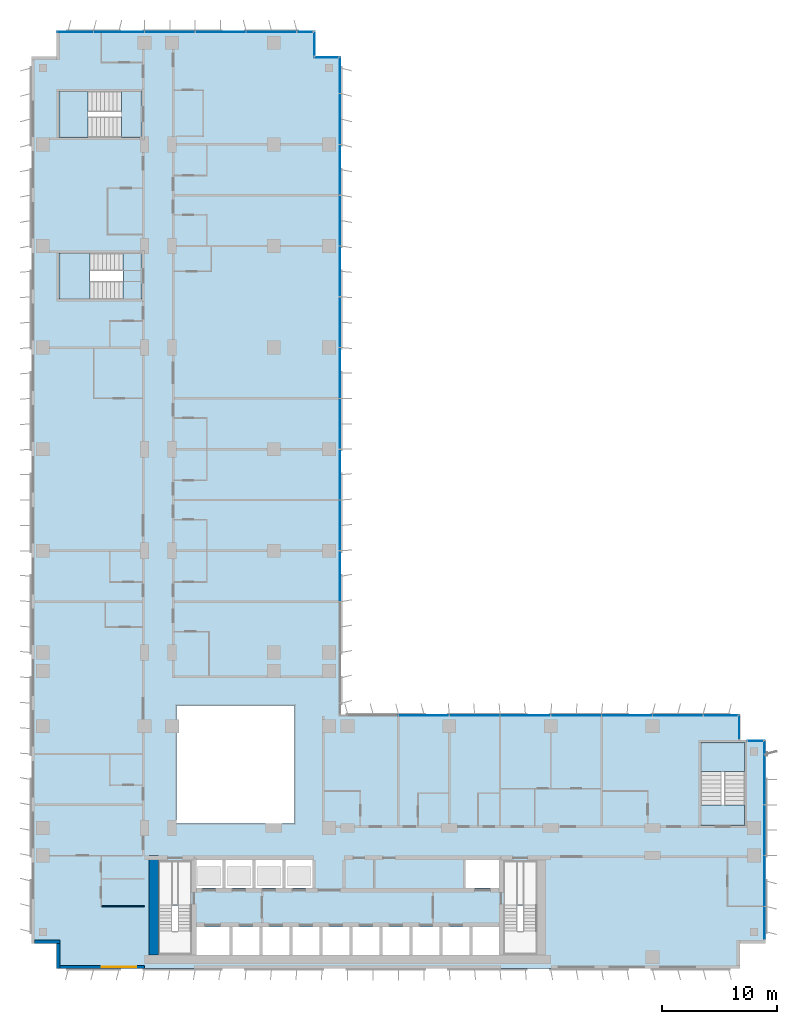
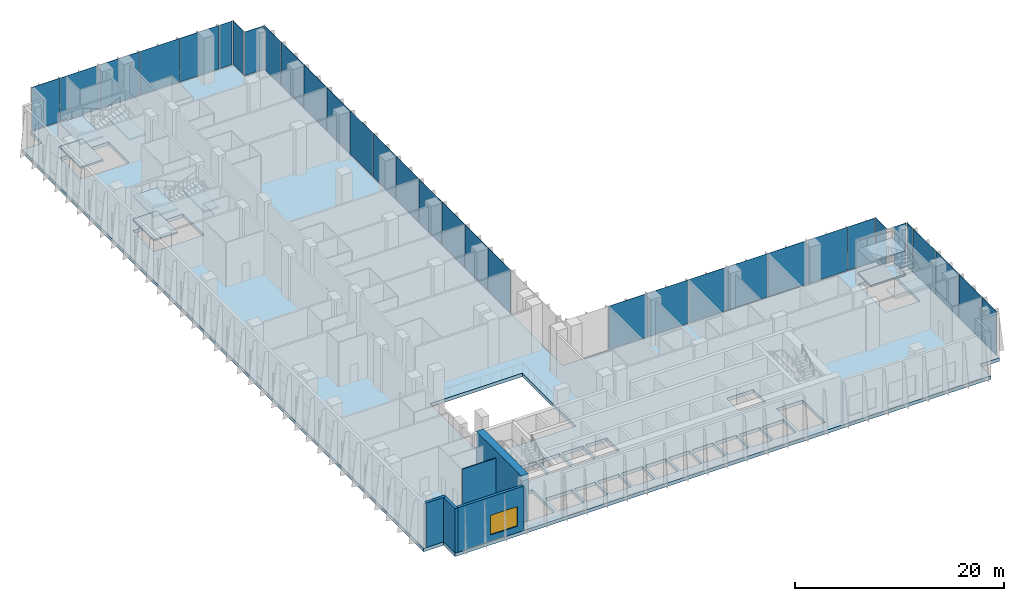
# One storey, part 11 of 26: 33 plates, 10 slabs, 5 walls, 1 window, 1 opening, 11 elements without a shape of their own.
"""IFC4 building model written with IfcOpenShell, lengths in metres."""

from ifc_helpers import new_model, si_unit, direction, frame, frame_2d, origin, origin_2d, place, context, subcontext, project, spatial, polyline, rectangle, outline, extrude, source, transform, mapped, material, layer, layer_set, type_object, element, fill, aggregate, save


model = new_model("IFC4")

# Units and contexts
model_context = context("Model", 3, precision=1e-05, world=origin(), true_north=direction((0.0, 1.0)))
body_context = subcontext(model_context, "Body", "Model", "MODEL_VIEW")
ifc_project = project(units=[si_unit("LENGTHUNIT", "METRE"), si_unit("AREAUNIT", "SQUARE_METRE"), si_unit("VOLUMEUNIT", "CUBIC_METRE"), si_unit("PLANEANGLEUNIT", "RADIAN"), si_unit("MASSUNIT", "GRAM", prefix="KILO")], contexts=[model_context])

# Site, building, storey
site_placement = place(None, origin())
site = spatial("IfcSite", under=ifc_project, at=site_placement, CompositionType="ELEMENT")
building_placement = place(site_placement, origin())
building = spatial("IfcBuilding", under=site, at=building_placement, Name="Kemantara Hotel Tower", CompositionType="ELEMENT")
storey_placement = place(building_placement, frame((0.0, 0.0, 101.89990234375)))
storey = spatial("IfcBuildingStorey", under=building, at=storey_placement, Name="L24", CompositionType="ELEMENT", Elevation=101.89990234375)

# Slab
ifc_material_1 = material(Name="Concrete fc 40 MPa", Category="concrete")
ifc_layer_1 = layer(ifc_material_1, 0.39990234375)
ifc_layer_set_1 = layer_set([ifc_layer_1], Name="Concrete fc 40 MPa")
slab_type_1 = type_object("IfcSlabType", Name="REINFORCED DECK SLAB 400", PredefinedType="FLOOR", material=ifc_layer_set_1)
slab_1_placement = place(storey_placement, frame((0.0, 0.0, -0.39990234375)))
element("IfcSlab", 1, at=slab_1_placement, inside=storey, type_object=slab_type_1, Name="FLOOR SLAB L24", PredefinedType="FLOOR", context=body_context, shape_type="SweptSolid", body=[
    extrude(outline(polyline([(26.800048828125, 79.0), (24.60009765625, 79.0), (24.60009765625, 81.199951171875), (2.199951171875, 81.199951171875), (2.199951171875, 79.0), (0.0, 79.0), (0.0, 2.199951171875), (2.199951171875, 2.199951171875), (2.199951171875, 0.0), (61.39990234375, 0.0), (61.39990234375, 2.199951171875), (63.60009765625, 2.199951171875), (63.60009765625, 19.800048828125), (61.39990234375, 19.800048828125), (61.39990234375, 22.0), (26.800048828125, 22.0), (26.800048828125, 79.0)]), holes=[polyline([(17.175048828125, 1.199951171875), (14.22509765625, 1.199951171875), (14.22509765625, 3.60009765625), (17.175048828125, 3.60009765625), (17.175048828125, 1.199951171875)]), polyline([(19.77490234375, 1.199951171875), (17.425048828125, 1.199951171875), (17.425048828125, 3.60009765625), (19.77490234375, 3.60009765625), (19.77490234375, 1.199951171875)]), polyline([(22.375, 1.199951171875), (20.02490234375, 1.199951171875), (20.02490234375, 3.60009765625), (22.375, 3.60009765625), (22.375, 1.199951171875)]), polyline([(11.0, 5.49951171875), (13.89990234375, 5.49951171875), (13.89990234375, 1.199951171875), (11.0, 1.199951171875), (11.0, 5.49951171875)]), polyline([(14.22509765625, 7.0), (14.22509765625, 9.39990234375), (16.574951171875, 9.39990234375), (16.574951171875, 7.0), (14.22509765625, 7.0)]), polyline([(19.175048828125, 7.0), (16.824951171875, 7.0), (16.824951171875, 9.39990234375), (19.175048828125, 9.39990234375), (19.175048828125, 7.0)]), polyline([(21.77490234375, 7.0), (19.425048828125, 7.0), (19.425048828125, 9.39990234375), (21.77490234375, 9.39990234375), (21.77490234375, 7.0)]), polyline([(24.375, 7.0), (22.02490234375, 7.0), (22.02490234375, 9.39990234375), (24.375, 9.39990234375), (24.375, 7.0)]), polyline([(12.60009765625, 12.60009765625), (12.60009765625, 22.800048828125), (22.800048828125, 22.800048828125), (22.800048828125, 12.60009765625), (12.60009765625, 12.60009765625)]), polyline([(7.949462890625, 62.0), (7.949462890625, 58.0), (2.39990234375, 58.0), (2.39990234375, 62.0), (7.949462890625, 62.0)]), polyline([(2.39990234375, 76.0), (7.79931640625, 76.0), (7.79931640625, 72.0), (2.39990234375, 72.0), (2.39990234375, 76.0)]), polyline([(24.97509765625, 1.199951171875), (22.625, 1.199951171875), (22.625, 3.60009765625), (24.97509765625, 3.60009765625), (24.97509765625, 1.199951171875)]), polyline([(27.574951171875, 1.199951171875), (25.22509765625, 1.199951171875), (25.22509765625, 3.60009765625), (27.574951171875, 3.60009765625), (27.574951171875, 1.199951171875)]), polyline([(27.824951171875, 1.199951171875), (27.824951171875, 3.60009765625), (30.175048828125, 3.60009765625), (30.175048828125, 1.199951171875), (27.824951171875, 1.199951171875)]), polyline([(30.425048828125, 1.199951171875), (30.425048828125, 3.60009765625), (32.77490234375, 3.60009765625), (32.77490234375, 1.199951171875), (30.425048828125, 1.199951171875)]), polyline([(35.375, 1.199951171875), (33.02490234375, 1.199951171875), (33.02490234375, 3.60009765625), (35.375, 3.60009765625), (35.375, 1.199951171875)]), polyline([(35.625, 1.199951171875), (35.625, 3.60009765625), (37.97509765625, 3.60009765625), (37.97509765625, 1.199951171875), (35.625, 1.199951171875)]), polyline([(38.22509765625, 1.199951171875), (38.22509765625, 3.60009765625), (40.574951171875, 3.60009765625), (40.574951171875, 1.199951171875), (38.22509765625, 1.199951171875)]), polyline([(40.89990234375, 1.199951171875), (40.89990234375, 5.49951171875), (43.800048828125, 5.49951171875), (43.800048828125, 1.199951171875), (40.89990234375, 1.199951171875)]), polyline([(37.625, 7.0), (37.625, 9.39990234375), (40.574951171875, 9.39990234375), (40.574951171875, 7.0), (37.625, 7.0)]), polyline([(61.800048828125, 14.20068359375), (58.0, 14.20068359375), (58.0, 19.60009765625), (61.800048828125, 19.60009765625), (61.800048828125, 14.20068359375)])]), origin(), (0.0, 0.0, 1.0), 0.39990234375),
])

# Stair, slabs
stair_type_1 = type_object("IfcStairType", Name="Stair 1800 wide 36 risers of 153 x 360 mm", PredefinedType="HALF_TURN_STAIR", material=ifc_material_1)
stair_1_placement = place(storey_placement, origin())
stair_1 = element("IfcStair", 2, at=stair_1_placement, inside=storey, type_object=stair_type_1, Name="L24 Exit stair ST3", PredefinedType="HALF_TURN_STAIR")
ifc_layer_2 = layer(ifc_material_1, 0.199951171875)
ifc_layer_set_2 = layer_set([ifc_layer_2], Name="Concrete fc 40 MPa")
slab_type_2 = type_object("IfcSlabType", Name="Stair landing 200 mm", PredefinedType="LANDING", material=ifc_layer_set_2)
slab_2_placement = place(storey_placement, frame((0.0, 0.0, 1.175048828125)))
slab_2 = element("IfcSlab", 3, at=slab_2_placement, type_object=slab_type_2, Name="ST3 landing 1", PredefinedType="LANDING", context=body_context, shape_type="SweptSolid", body=[
    extrude(outline(polyline([(61.800048828125, 17.080078125), (61.800048828125, 19.60009765625), (58.0, 19.60009765625), (58.0, 17.080078125), (61.800048828125, 17.080078125)])), origin(), (0.0, 0.0, 1.0), 0.199951171875),
])
slab_3_placement = place(storey_placement, frame((0.0, 0.0, 2.550048828125)))
slab_3 = element("IfcSlab", 4, at=slab_3_placement, type_object=slab_type_2, Name="ST3 landing 2", PredefinedType="LANDING", context=body_context, shape_type="SweptSolid", body=[
    extrude(outline(polyline([(61.800048828125, 12.39990234375), (61.800048828125, 14.199951171875), (58.0, 14.199951171875), (58.0, 12.39990234375), (61.800048828125, 12.39990234375)])), origin(), (0.0, 0.0, 1.0), 0.199951171875),
])
slab_4_placement = place(storey_placement, frame((0.0, 0.0, 3.925048828125)))
slab_4 = element("IfcSlab", 5, at=slab_4_placement, type_object=slab_type_2, Name="ST3 landing 3", PredefinedType="LANDING", context=body_context, shape_type="SweptSolid", body=[
    extrude(outline(polyline([(61.800048828125, 17.080078125), (61.800048828125, 19.60009765625), (58.0, 19.60009765625), (58.0, 17.080078125), (61.800048828125, 17.080078125)])), origin(), (0.0, 0.0, 1.0), 0.199951171875),
])
aggregate(stair_1, [slab_2, slab_3, slab_4])

stair_type_2 = type_object("IfcStairType", Name="Stair 1550 wide 36 risers of 153 x 360 mm", PredefinedType="HALF_TURN_STAIR", material=ifc_material_1)
stair_2_placement = place(storey_placement, origin())
stair_2 = element("IfcStair", 6, at=stair_2_placement, inside=storey, type_object=stair_type_2, Name="L24 Exit stair ST4", PredefinedType="HALF_TURN_STAIR")
slab_5_placement = place(storey_placement, frame((0.0, 0.0, 1.175048828125)))
slab_5 = element("IfcSlab", 7, at=slab_5_placement, type_object=slab_type_2, Name="ST4 landing 1", PredefinedType="LANDING", context=body_context, shape_type="SweptSolid", body=[
    extrude(outline(polyline([(5.070068359375, 62.0), (2.39990234375, 62.0), (2.39990234375, 58.0), (5.070068359375, 58.0), (5.070068359375, 62.0)])), origin(), (0.0, 0.0, 1.0), 0.199951171875),
])
slab_6_placement = place(storey_placement, frame((0.0, 0.0, 2.550048828125)))
slab_6 = element("IfcSlab", 8, at=slab_6_placement, type_object=slab_type_2, Name="ST4 landing 2", PredefinedType="LANDING", context=body_context, shape_type="SweptSolid", body=[
    extrude(outline(polyline([(9.60009765625, 62.0), (7.949951171875, 62.0), (7.949951171875, 58.0), (9.60009765625, 58.0), (9.60009765625, 62.0)])), origin(), (0.0, 0.0, 1.0), 0.199951171875),
])
slab_7_placement = place(storey_placement, frame((0.0, 0.0, 3.925048828125)))
slab_7 = element("IfcSlab", 9, at=slab_7_placement, type_object=slab_type_2, Name="ST4 landing 3", PredefinedType="LANDING", context=body_context, shape_type="SweptSolid", body=[
    extrude(outline(polyline([(5.070068359375, 62.0), (2.39990234375, 62.0), (2.39990234375, 58.0), (5.070068359375, 58.0), (5.070068359375, 62.0)])), origin(), (0.0, 0.0, 1.0), 0.199951171875),
])
aggregate(stair_2, [slab_5, slab_6, slab_7])

stair_3_placement = place(storey_placement, origin())
stair_3 = element("IfcStair", 10, at=stair_3_placement, inside=storey, type_object=stair_type_1, Name="L24 Exit stair ST6", PredefinedType="HALF_TURN_STAIR")
slab_8_placement = place(storey_placement, frame((0.0, 0.0, 1.175048828125)))
slab_8 = element("IfcSlab", 11, at=slab_8_placement, type_object=slab_type_2, Name="ST6 landing 1", PredefinedType="LANDING", context=body_context, shape_type="SweptSolid", body=[
    extrude(outline(polyline([(4.919921875, 76.0), (2.39990234375, 76.0), (2.39990234375, 72.0), (4.919921875, 72.0), (4.919921875, 76.0)])), origin(), (0.0, 0.0, 1.0), 0.199951171875),
])
slab_9_placement = place(storey_placement, frame((0.0, 0.0, 2.550048828125)))
slab_9 = element("IfcSlab", 12, at=slab_9_placement, type_object=slab_type_2, Name="ST6 landing 2", PredefinedType="LANDING", context=body_context, shape_type="SweptSolid", body=[
    extrude(outline(polyline([(9.60009765625, 76.0), (7.800048828125, 76.0), (7.800048828125, 72.0), (9.60009765625, 72.0), (9.60009765625, 76.0)])), origin(), (0.0, 0.0, 1.0), 0.199951171875),
])
slab_10_placement = place(storey_placement, frame((0.0, 0.0, 3.925048828125)))
slab_10 = element("IfcSlab", 13, at=slab_10_placement, type_object=slab_type_2, Name="ST6 landing 3", PredefinedType="LANDING", context=body_context, shape_type="SweptSolid", body=[
    extrude(outline(polyline([(4.919921875, 76.0), (2.39990234375, 76.0), (2.39990234375, 72.0), (4.919921875, 72.0), (4.919921875, 76.0)])), origin(), (0.0, 0.0, 1.0), 0.199951171875),
])
aggregate(stair_3, [slab_8, slab_9, slab_10])

# Curtain wall, plates
ifc_material_2 = material(Name="Low-E tinted double insulated glass 36 mm", Category="glass")
curtain_wall_type = type_object("IfcCurtainWallType", Name="TOWER CURTAIN WALL, FRONT FACES", PredefinedType="USERDEFINED", material=ifc_material_2)
curtain_wall_1_placement = place(storey_placement, origin())
curtain_wall_1 = element("IfcCurtainWall", 14, at=curtain_wall_1_placement, inside=storey, type_object=curtain_wall_type, Name="CW4 L24 T2-R01-1", ObjectType="TOWER CURTAIN WALL, FRONT FACES", PredefinedType="USERDEFINED")
ifc_layer_3 = layer(ifc_material_2, 0.035888671875)
ifc_layer_set_3 = layer_set([ifc_layer_3], Name="Low-E tinted double insulated glass 36 mm")
plate_type = type_object("IfcPlateType", Name="TOWER CURTAIN WALL, FRONT FACES PANEL", PredefinedType="CURTAIN_PANEL", material=ifc_layer_set_3)
shared_shape_1 = source(origin(), body_context, "Body", "SweptSolid", [
    extrude(rectangle(XDim=1.360107421875, YDim=0.035888671875, at=origin_2d()), origin(), (0.0, 0.0, 1.0), 5.080078125),
])
plate_1_placement = place(storey_placement, frame((23.7099609375, 81.125, 0.1201171875), z_axis=(0.0, 0.0, 1.0), x_axis=(-1.0, 0.0, 0.0)))
plate_1 = element("IfcPlate", 15, at=plate_1_placement, type_object=plate_type, Name="CW4 glass panel T2-R01-1.1", PredefinedType="CURTAIN_PANEL", context=body_context, shape_type="MappedRepresentation", body=[
    mapped(shared_shape_1, transform((0.0, 0.0, 0.0))),
])
shared_shape_2 = source(origin(), body_context, "Body", "SweptSolid", [
    extrude(rectangle(XDim=4.340087890625, YDim=0.035888671875, at=origin_2d()), origin(), (0.0, 0.0, 1.0), 5.080078125),
])
plate_2_placement = place(storey_placement, frame((20.800048828125, 81.125, 0.1201171875), z_axis=(0.0, 0.0, 1.0), x_axis=(-1.0, 0.0, 0.0)))
plate_2 = element("IfcPlate", 16, at=plate_2_placement, type_object=plate_type, Name="CW4 glass panel T2-R01-1.2", PredefinedType="CURTAIN_PANEL", context=body_context, shape_type="MappedRepresentation", body=[
    mapped(shared_shape_2, transform((0.0, 0.0, 0.0))),
])
plate_3_placement = place(storey_placement, frame((16.39990234375, 81.125, 0.1201171875), z_axis=(0.0, 0.0, 1.0), x_axis=(-1.0, 0.0, 0.0)))
plate_3 = element("IfcPlate", 17, at=plate_3_placement, type_object=plate_type, Name="CW4 glass panel T2-R01-1.3", PredefinedType="CURTAIN_PANEL", context=body_context, shape_type="MappedRepresentation", body=[
    mapped(shared_shape_2, transform((0.0, 0.0, 0.0))),
])
plate_4_placement = place(storey_placement, frame((12.0, 81.125, 0.1201171875), z_axis=(0.0, 0.0, 1.0), x_axis=(-1.0, 0.0, 0.0)))
plate_4 = element("IfcPlate", 18, at=plate_4_placement, type_object=plate_type, Name="CW4 glass panel T2-R01-1.4", PredefinedType="CURTAIN_PANEL", context=body_context, shape_type="MappedRepresentation", body=[
    mapped(shared_shape_2, transform((0.0, 0.0, 0.0))),
])
plate_5_placement = place(storey_placement, frame((7.60009765625, 81.125, 0.1201171875), z_axis=(0.0, 0.0, 1.0), x_axis=(-1.0, 0.0, 0.0)))
plate_5 = element("IfcPlate", 19, at=plate_5_placement, type_object=plate_type, Name="CW4 glass panel T2-R01-1.5", PredefinedType="CURTAIN_PANEL", context=body_context, shape_type="MappedRepresentation", body=[
    mapped(shared_shape_2, transform((0.0, 0.0, 0.0))),
])

curtain_wall_2_placement = place(storey_placement, origin())
curtain_wall_2 = element("IfcCurtainWall", 20, at=curtain_wall_2_placement, inside=storey, type_object=curtain_wall_type, Name="CW4 L24 T2-R10-1", ObjectType="TOWER CURTAIN WALL, FRONT FACES", PredefinedType="USERDEFINED")
plate_6_placement = place(storey_placement, frame((63.52490234375, 7.60009765625, 0.1201171875), z_axis=(0.0, 0.0, 1.0), x_axis=(0.0, 1.0, 0.0)))
plate_6 = element("IfcPlate", 21, at=plate_6_placement, type_object=plate_type, Name="CW4 glass panel T2-R10-1.2", PredefinedType="CURTAIN_PANEL", context=body_context, shape_type="MappedRepresentation", body=[
    mapped(shared_shape_2, transform((0.0, 0.0, 0.0))),
])
plate_7_placement = place(storey_placement, frame((63.52490234375, 12.0, 0.1201171875), z_axis=(0.0, 0.0, 1.0), x_axis=(0.0, 1.0, 0.0)))
plate_7 = element("IfcPlate", 22, at=plate_7_placement, type_object=plate_type, Name="CW4 glass panel T2-R10-1.3", PredefinedType="CURTAIN_PANEL", context=body_context, shape_type="MappedRepresentation", body=[
    mapped(shared_shape_2, transform((0.0, 0.0, 0.0))),
])
plate_8_placement = place(storey_placement, frame((63.52490234375, 16.39990234375, 0.1201171875), z_axis=(0.0, 0.0, 1.0), x_axis=(0.0, 1.0, 0.0)))
plate_8 = element("IfcPlate", 23, at=plate_8_placement, type_object=plate_type, Name="CW4 glass panel T2-R10-1.4", PredefinedType="CURTAIN_PANEL", context=body_context, shape_type="MappedRepresentation", body=[
    mapped(shared_shape_2, transform((0.0, 0.0, 0.0))),
])

curtain_wall_3_placement = place(storey_placement, origin())
curtain_wall_3 = element("IfcCurtainWall", 24, at=curtain_wall_3_placement, inside=storey, type_object=curtain_wall_type, Name="CW4 L24 T2-R13-1", ObjectType="TOWER CURTAIN WALL, FRONT FACES", PredefinedType="USERDEFINED")
plate_9_placement = place(storey_placement, frame((56.0, 21.925048828125, 0.1201171875), z_axis=(0.0, 0.0, 1.0), x_axis=(-1.0, 0.0, 0.0)))
plate_9 = element("IfcPlate", 25, at=plate_9_placement, type_object=plate_type, Name="CW4 glass panel T2-R13-1.2", PredefinedType="CURTAIN_PANEL", context=body_context, shape_type="MappedRepresentation", body=[
    mapped(shared_shape_2, transform((0.0, 0.0, 0.0))),
])
plate_10_placement = place(storey_placement, frame((51.60009765625, 21.925048828125, 0.1201171875), z_axis=(0.0, 0.0, 1.0), x_axis=(-1.0, 0.0, 0.0)))
plate_10 = element("IfcPlate", 26, at=plate_10_placement, type_object=plate_type, Name="CW4 glass panel T2-R13-1.3", PredefinedType="CURTAIN_PANEL", context=body_context, shape_type="MappedRepresentation", body=[
    mapped(shared_shape_2, transform((0.0, 0.0, 0.0))),
])
plate_11_placement = place(storey_placement, frame((47.199951171875, 21.925048828125, 0.1201171875), z_axis=(0.0, 0.0, 1.0), x_axis=(-1.0, 0.0, 0.0)))
plate_11 = element("IfcPlate", 27, at=plate_11_placement, type_object=plate_type, Name="CW4 glass panel T2-R13-1.4", PredefinedType="CURTAIN_PANEL", context=body_context, shape_type="MappedRepresentation", body=[
    mapped(shared_shape_2, transform((0.0, 0.0, 0.0))),
])
plate_12_placement = place(storey_placement, frame((42.800048828125, 21.925048828125, 0.1201171875), z_axis=(0.0, 0.0, 1.0), x_axis=(-1.0, 0.0, 0.0)))
plate_12 = element("IfcPlate", 28, at=plate_12_placement, type_object=plate_type, Name="CW4 glass panel T2-R13-1.5", PredefinedType="CURTAIN_PANEL", context=body_context, shape_type="MappedRepresentation", body=[
    mapped(shared_shape_2, transform((0.0, 0.0, 0.0))),
])
plate_13_placement = place(storey_placement, frame((38.39990234375, 21.925048828125, 0.1201171875), z_axis=(0.0, 0.0, 1.0), x_axis=(-1.0, 0.0, 0.0)))
plate_13 = element("IfcPlate", 29, at=plate_13_placement, type_object=plate_type, Name="CW4 glass panel T2-R13-1.6", PredefinedType="CURTAIN_PANEL", context=body_context, shape_type="MappedRepresentation", body=[
    mapped(shared_shape_2, transform((0.0, 0.0, 0.0))),
])
plate_14_placement = place(storey_placement, frame((34.0, 21.925048828125, 0.1201171875), z_axis=(0.0, 0.0, 1.0), x_axis=(-1.0, 0.0, 0.0)))
plate_14 = element("IfcPlate", 30, at=plate_14_placement, type_object=plate_type, Name="CW4 glass panel T2-R13-1.7", PredefinedType="CURTAIN_PANEL", context=body_context, shape_type="MappedRepresentation", body=[
    mapped(shared_shape_2, transform((0.0, 0.0, 0.0))),
])

curtain_wall_4_placement = place(storey_placement, origin())
curtain_wall_4 = element("IfcCurtainWall", 31, at=curtain_wall_4_placement, inside=storey, type_object=curtain_wall_type, Name="CW4 L24 T2-R14-1", ObjectType="TOWER CURTAIN WALL, FRONT FACES", PredefinedType="USERDEFINED")
plate_15_placement = place(storey_placement, frame((26.72509765625, 34.0, 0.1201171875), z_axis=(0.0, 0.0, 1.0), x_axis=(0.0, 1.0, 0.0)))
plate_15 = element("IfcPlate", 32, at=plate_15_placement, type_object=plate_type, Name="CW4 glass panel T2-R14-1.4", PredefinedType="CURTAIN_PANEL", context=body_context, shape_type="MappedRepresentation", body=[
    mapped(shared_shape_2, transform((0.0, 0.0, 0.0))),
])
plate_16_placement = place(storey_placement, frame((26.72509765625, 38.39990234375, 0.1201171875), z_axis=(0.0, 0.0, 1.0), x_axis=(0.0, 1.0, 0.0)))
plate_16 = element("IfcPlate", 33, at=plate_16_placement, type_object=plate_type, Name="CW4 glass panel T2-R14-1.5", PredefinedType="CURTAIN_PANEL", context=body_context, shape_type="MappedRepresentation", body=[
    mapped(shared_shape_2, transform((0.0, 0.0, 0.0))),
])
plate_17_placement = place(storey_placement, frame((26.72509765625, 42.800048828125, 0.1201171875), z_axis=(0.0, 0.0, 1.0), x_axis=(0.0, 1.0, 0.0)))
plate_17 = element("IfcPlate", 34, at=plate_17_placement, type_object=plate_type, Name="CW4 glass panel T2-R14-1.6", PredefinedType="CURTAIN_PANEL", context=body_context, shape_type="MappedRepresentation", body=[
    mapped(shared_shape_2, transform((0.0, 0.0, 0.0))),
])
plate_18_placement = place(storey_placement, frame((26.72509765625, 47.199951171875, 0.1201171875), z_axis=(0.0, 0.0, 1.0), x_axis=(0.0, 1.0, 0.0)))
plate_18 = element("IfcPlate", 35, at=plate_18_placement, type_object=plate_type, Name="CW4 glass panel T2-R14-1.7", PredefinedType="CURTAIN_PANEL", context=body_context, shape_type="MappedRepresentation", body=[
    mapped(shared_shape_2, transform((0.0, 0.0, 0.0))),
])
plate_19_placement = place(storey_placement, frame((26.72509765625, 51.60009765625, 0.1201171875), z_axis=(0.0, 0.0, 1.0), x_axis=(0.0, 1.0, 0.0)))
plate_19 = element("IfcPlate", 36, at=plate_19_placement, type_object=plate_type, Name="CW4 glass panel T2-R14-1.8", PredefinedType="CURTAIN_PANEL", context=body_context, shape_type="MappedRepresentation", body=[
    mapped(shared_shape_2, transform((0.0, 0.0, 0.0))),
])
plate_20_placement = place(storey_placement, frame((26.72509765625, 56.0, 0.1201171875), z_axis=(0.0, 0.0, 1.0), x_axis=(0.0, 1.0, 0.0)))
plate_20 = element("IfcPlate", 37, at=plate_20_placement, type_object=plate_type, Name="CW4 glass panel T2-R14-1.9", PredefinedType="CURTAIN_PANEL", context=body_context, shape_type="MappedRepresentation", body=[
    mapped(shared_shape_2, transform((0.0, 0.0, 0.0))),
])
plate_21_placement = place(storey_placement, frame((26.72509765625, 60.39990234375, 0.1201171875), z_axis=(0.0, 0.0, 1.0), x_axis=(0.0, 1.0, 0.0)))
plate_21 = element("IfcPlate", 38, at=plate_21_placement, type_object=plate_type, Name="CW4 glass panel T2-R14-1.10", PredefinedType="CURTAIN_PANEL", context=body_context, shape_type="MappedRepresentation", body=[
    mapped(shared_shape_2, transform((0.0, 0.0, 0.0))),
])
plate_22_placement = place(storey_placement, frame((26.72509765625, 64.800048828125, 0.1201171875), z_axis=(0.0, 0.0, 1.0), x_axis=(0.0, 1.0, 0.0)))
plate_22 = element("IfcPlate", 39, at=plate_22_placement, type_object=plate_type, Name="CW4 glass panel T2-R14-1.11", PredefinedType="CURTAIN_PANEL", context=body_context, shape_type="MappedRepresentation", body=[
    mapped(shared_shape_2, transform((0.0, 0.0, 0.0))),
])
plate_23_placement = place(storey_placement, frame((26.72509765625, 69.199951171875, 0.1201171875), z_axis=(0.0, 0.0, 1.0), x_axis=(0.0, 1.0, 0.0)))
plate_23 = element("IfcPlate", 40, at=plate_23_placement, type_object=plate_type, Name="CW4 glass panel T2-R14-1.12", PredefinedType="CURTAIN_PANEL", context=body_context, shape_type="MappedRepresentation", body=[
    mapped(shared_shape_2, transform((0.0, 0.0, 0.0))),
])
plate_24_placement = place(storey_placement, frame((26.72509765625, 73.60009765625, 0.1201171875), z_axis=(0.0, 0.0, 1.0), x_axis=(0.0, 1.0, 0.0)))
plate_24 = element("IfcPlate", 41, at=plate_24_placement, type_object=plate_type, Name="CW4 glass panel T2-R14-1.13", PredefinedType="CURTAIN_PANEL", context=body_context, shape_type="MappedRepresentation", body=[
    mapped(shared_shape_2, transform((0.0, 0.0, 0.0))),
])

# Plate
shared_shape_3 = source(origin(), body_context, "Body", "SweptSolid", [
    extrude(rectangle(XDim=3.110107421875, YDim=0.035888671875, at=origin_2d()), origin(), (0.0, 0.0, 1.0), 5.080078125),
])
plate_25_placement = place(storey_placement, frame((3.81494140625, 81.125, 0.1201171875), z_axis=(0.0, 0.0, 1.0), x_axis=(-1.0, 0.0, 0.0)))
plate_25 = element("IfcPlate", 42, at=plate_25_placement, type_object=plate_type, Name="CW4 glass panel T2-R01-1.6", PredefinedType="CURTAIN_PANEL", context=body_context, shape_type="MappedRepresentation", body=[
    mapped(shared_shape_3, transform((0.0, 0.0, 0.0))),
])

aggregate(curtain_wall_1, [plate_1, plate_2, plate_3, plate_4, plate_5, plate_25])

plate_26_placement = place(storey_placement, frame((26.72509765625, 77.385009765625, 0.1201171875), z_axis=(0.0, 0.0, 1.0), x_axis=(0.0, 1.0, 0.0)))
plate_26 = element("IfcPlate", 43, at=plate_26_placement, type_object=plate_type, Name="CW4 glass panel T2-R14-1.14", PredefinedType="CURTAIN_PANEL", context=body_context, shape_type="MappedRepresentation", body=[
    mapped(shared_shape_3, transform((0.0, 0.0, 0.0))),
])

aggregate(curtain_wall_4, [plate_15, plate_16, plate_17, plate_18, plate_19, plate_20, plate_21, plate_22, plate_23, plate_24, plate_26])

shared_shape_4 = source(origin(), body_context, "Body", "SweptSolid", [
    extrude(rectangle(XDim=2.81005859375, YDim=0.035888671875, at=origin_2d()), origin(), (0.0, 0.0, 1.0), 5.080078125),
])
plate_27_placement = place(storey_placement, frame((63.52490234375, 3.965087890625, 0.1201171875), z_axis=(0.0, 0.0, 1.0), x_axis=(0.0, 1.0, 0.0)))
plate_27 = element("IfcPlate", 44, at=plate_27_placement, type_object=plate_type, Name="CW4 glass panel T2-R10-1.1", PredefinedType="CURTAIN_PANEL", context=body_context, shape_type="MappedRepresentation", body=[
    mapped(shared_shape_4, transform((0.0, 0.0, 0.0))),
])

shared_shape_5 = source(origin(), body_context, "Body", "SweptSolid", [
    extrude(rectangle(XDim=1.110107421875, YDim=0.035888671875, at=origin_2d()), origin(), (0.0, 0.0, 1.0), 5.080078125),
])
plate_28_placement = place(storey_placement, frame((63.52490234375, 19.18505859375, 0.1201171875), z_axis=(0.0, 0.0, 1.0), x_axis=(0.0, 1.0, 0.0)))
plate_28 = element("IfcPlate", 45, at=plate_28_placement, type_object=plate_type, Name="CW4 glass panel T2-R10-1.5", PredefinedType="CURTAIN_PANEL", context=body_context, shape_type="MappedRepresentation", body=[
    mapped(shared_shape_5, transform((0.0, 0.0, 0.0))),
])

aggregate(curtain_wall_2, [plate_27, plate_6, plate_7, plate_8, plate_28])

shared_shape_6 = source(origin(), body_context, "Body", "SweptSolid", [
    extrude(rectangle(XDim=2.9599609375, YDim=0.035888671875, at=origin_2d()), origin(), (0.0, 0.0, 1.0), 5.080078125),
])
plate_29_placement = place(storey_placement, frame((59.7099609375, 21.925048828125, 0.1201171875), z_axis=(0.0, 0.0, 1.0), x_axis=(-1.0, 0.0, 0.0)))
plate_29 = element("IfcPlate", 46, at=plate_29_placement, type_object=plate_type, Name="CW4 glass panel T2-R13-1.1", PredefinedType="CURTAIN_PANEL", context=body_context, shape_type="MappedRepresentation", body=[
    mapped(shared_shape_6, transform((0.0, 0.0, 0.0))),
])

aggregate(curtain_wall_3, [plate_29, plate_9, plate_10, plate_11, plate_12, plate_13, plate_14])

# Curtain wall, plate
curtain_wall_5_placement = place(storey_placement, origin())
curtain_wall_5 = element("IfcCurtainWall", 47, at=curtain_wall_5_placement, inside=storey, type_object=curtain_wall_type, Name="CW4 L24 T2-R00-1", ObjectType="TOWER CURTAIN WALL, FRONT FACES", PredefinedType="USERDEFINED")
shared_shape_7 = source(origin(), body_context, "Body", "SweptSolid", [
    extrude(rectangle(XDim=2.080078125, YDim=0.035888671875, at=origin_2d()), origin(), (0.0, 0.0, 1.0), 5.080078125),
])
plate_30_placement = place(storey_placement, frame((24.52490234375, 80.10009765625, 0.1201171875), z_axis=(0.0, 0.0, 1.0), x_axis=(0.0, 1.0, 0.0)))
plate_30 = element("IfcPlate", 48, at=plate_30_placement, type_object=plate_type, Name="CW4 glass panel T2-R00-1.1", PredefinedType="CURTAIN_PANEL", context=body_context, shape_type="MappedRepresentation", body=[
    mapped(shared_shape_7, transform((0.0, 0.0, 0.0))),
])
aggregate(curtain_wall_5, [plate_30])

curtain_wall_6_placement = place(storey_placement, origin())
curtain_wall_6 = element("IfcCurtainWall", 49, at=curtain_wall_6_placement, inside=storey, type_object=curtain_wall_type, Name="CW4 L24 T2-R12-1", ObjectType="TOWER CURTAIN WALL, FRONT FACES", PredefinedType="USERDEFINED")
plate_31_placement = place(storey_placement, frame((61.324951171875, 20.89990234375, 0.1201171875), z_axis=(0.0, 0.0, 1.0), x_axis=(0.0, 1.0, 0.0)))
plate_31 = element("IfcPlate", 50, at=plate_31_placement, type_object=plate_type, Name="CW4 glass panel T2-R12-1.1", PredefinedType="CURTAIN_PANEL", context=body_context, shape_type="MappedRepresentation", body=[
    mapped(shared_shape_7, transform((0.0, 0.0, 0.0))),
])
aggregate(curtain_wall_6, [plate_31])

curtain_wall_7_placement = place(storey_placement, origin())
curtain_wall_7 = element("IfcCurtainWall", 51, at=curtain_wall_7_placement, inside=storey, type_object=curtain_wall_type, Name="CW4 L24 T2-R15-1", ObjectType="TOWER CURTAIN WALL, FRONT FACES", PredefinedType="USERDEFINED")
plate_32_placement = place(storey_placement, frame((25.550048828125, 78.925048828125, 0.1201171875), z_axis=(0.0, 0.0, 1.0), x_axis=(-1.0, 0.0, 0.0)))
plate_32 = element("IfcPlate", 52, at=plate_32_placement, type_object=plate_type, Name="CW4 glass panel T2-R15-1.1", PredefinedType="CURTAIN_PANEL", context=body_context, shape_type="MappedRepresentation", body=[
    mapped(shared_shape_7, transform((0.0, 0.0, 0.0))),
])
aggregate(curtain_wall_7, [plate_32])

curtain_wall_8_placement = place(storey_placement, origin())
curtain_wall_8 = element("IfcCurtainWall", 53, at=curtain_wall_8_placement, inside=storey, type_object=curtain_wall_type, Name="CW4 L24 T2-R11-1", ObjectType="TOWER CURTAIN WALL, FRONT FACES", PredefinedType="USERDEFINED")
shared_shape_8 = source(origin(), body_context, "Body", "SweptSolid", [
    extrude(rectangle(XDim=1.330078125, YDim=0.035888671875, at=origin_2d()), origin(), (0.0, 0.0, 1.0), 5.080078125),
])
plate_33_placement = place(storey_placement, frame((62.72509765625, 19.72509765625, 0.1201171875), z_axis=(0.0, 0.0, 1.0), x_axis=(-1.0, 0.0, 0.0)))
plate_33 = element("IfcPlate", 54, at=plate_33_placement, type_object=plate_type, Name="CW4 glass panel T2-R11-1.1", PredefinedType="CURTAIN_PANEL", context=body_context, shape_type="MappedRepresentation", body=[
    mapped(shared_shape_8, transform((0.0, 0.0, 0.0))),
])
aggregate(curtain_wall_8, [plate_33])

# Walls
ifc_material_3 = material(Name="Bronze anodised aluminium cladding on insulated steel stud wall", Category="steel")
ifc_layer_4 = layer(ifc_material_3, 0.300048828125)
ifc_layer_set_4 = layer_set([ifc_layer_4], Name="Bronze anodised aluminium cladding on insulated steel stud wall")
wall_type_1 = type_object("IfcWallType", Name="BRONZE METAL-CLAD EXTERNAL WALL 300", PredefinedType="STANDARD", material=ifc_layer_set_4)
for number, where, z_axis, x_axis, name in (
    (55, (0.300048828125, 2.35009765625, 0.0), (0.0, 0.0, 1.0), (1.0, 0.0, 0.0), "EXTERNAL WALL L24 T2-R05"),
    (56, (2.35009765625, 2.199951171875, 0.0), (0.0, 0.0, 1.0), (0.0, -1.0, 0.0), "EXTERNAL WALL L24 T2-R06"),
):
    element("IfcWall", number, at=place(storey_placement, frame(where, z_axis=z_axis, x_axis=x_axis)), inside=storey, type_object=wall_type_1, Name=name, PredefinedType="STANDARD", context=body_context, shape_type="SweptSolid", body=[
        extrude(rectangle(XDim=2.199951171875, YDim=0.300048828125, at=frame_2d((1.10009765625, 0.0))), origin(), (0.0, 0.0, 1.0), 5.2001953125),
    ])

# Wall, opening, window
wall_1_placement = place(storey_placement, frame((2.5, 0.14990234375, 0.0), z_axis=(0.0, 0.0, 1.0), x_axis=(1.0, 0.0, 0.0)))
wall_1 = element("IfcWall", 57, at=wall_1_placement, inside=storey, type_object=wall_type_1, Name="EXTERNAL WALL L24 T2-R07", PredefinedType="STANDARD", context=body_context, shape_type="SweptSolid", body=[
    extrude(rectangle(XDim=7.300048828125, YDim=0.300048828125, at=frame_2d((3.64990234375, 0.0))), origin(), (0.0, 0.0, 1.0), 5.2001953125),
])
opening_placement = place(wall_1_placement, frame((3.60009765625, 0.0, 0.75)))
opening = element("IfcOpeningElement", 58, at=opening_placement, cuts=wall_1, Name="Opening W1", PredefinedType="OPENING", context=body_context, shape_type="SweptSolid", body=[
    extrude(rectangle(XDim=3.0, YDim=2.300048828125, at=frame_2d((1.5, 1.14990234375))), frame((0.0, 0.159912109375, 0.0), z_axis=(0.0, -1.0, 0.0), x_axis=(1.0, 0.0, 0.0)), (0.0, 0.0, 1.0), 0.320068359375),
])
ifc_material_4 = material(Name="Low-E tinted double insulated glass in bronze anodised aluminium frame", Category="aluminium")
window_type = type_object("IfcWindowType", Name="CHICAGO WINDOW, TRIPLE PANEL 3000x2300", PartitioningType="TRIPLE_PANEL_VERTICAL", PredefinedType="WINDOW", material=ifc_material_4)
window_placement = place(opening_placement, origin())
window = element("IfcWindow", 59, at=window_placement, inside=storey, type_object=window_type, Name="CHICAGO WINDOW L24 T2-R07-54", OverallHeight=2.300048828125, OverallWidth=3.0, PartitioningType="SINGLE_PANEL", PredefinedType="WINDOW", context=body_context, shape_type="SweptSolid", body=[
    extrude(rectangle(XDim=3.0, YDim=2.300048828125, at=frame_2d((1.5, 1.14990234375))), frame((0.0, 0.030029296875, 0.0), z_axis=(0.0, -1.0, 0.0), x_axis=(1.0, 0.0, 0.0)), (0.0, 0.0, 1.0), 0.06005859375),
])
fill(opening, window)

# Walls
ifc_material_5 = material(Name="Concrete fc 70 MPa", Category="concrete")
ifc_layer_5 = layer(ifc_material_5, 0.800048828125)
ifc_layer_set_5 = layer_set([ifc_layer_5], Name="Concrete fc 70 MPa")
wall_type_2 = type_object("IfcWallType", Name="CORE WALL 800 FC70", PredefinedType="SHEAR", material=ifc_layer_set_5)
wall_2_placement = place(storey_placement, frame((10.60009765625, 1.199951171875, 0.0), z_axis=(0.0, 0.0, 1.0), x_axis=(0.0, 1.0, 0.0)))
element("IfcWall", 60, at=wall_2_placement, inside=storey, type_object=wall_type_2, Name="CORE WALL CW-W", PredefinedType="SHEAR", context=body_context, shape_type="SweptSolid", body=[
    extrude(rectangle(XDim=8.60009765625, YDim=0.800048828125, at=frame_2d((4.300048828125, 0.0))), origin(), (0.0, 0.0, 1.0), 5.5),
])
ifc_material_6 = material(Name="Gypsum board partition on steel studs, 100 mm", Category="steel")
ifc_layer_6 = layer(ifc_material_6, 0.10009765625)
ifc_layer_set_6 = layer_set([ifc_layer_6], Name="Gypsum board partition on steel studs, 100 mm")
wall_type_3 = type_object("IfcWallType", Name="ROOM PARTITION 100", PredefinedType="PARTITIONING", material=ifc_layer_set_6)
wall_3_placement = place(storey_placement, frame((6.10009765625, 5.39990234375, 0.0), z_axis=(0.0, 0.0, 1.0), x_axis=(1.0, 0.0, 0.0)))
element("IfcWall", 61, at=wall_3_placement, inside=storey, type_object=wall_type_3, Name="ROOM PARTITION 100 049", PredefinedType="PARTITIONING", context=body_context, shape_type="SweptSolid", body=[
    extrude(rectangle(XDim=3.69970703125, YDim=0.10009765625, at=frame_2d((1.849853515625, 0.0))), origin(), (0.0, 0.0, 1.0), 5.2001953125),
])

save(model, "model.ifc")
